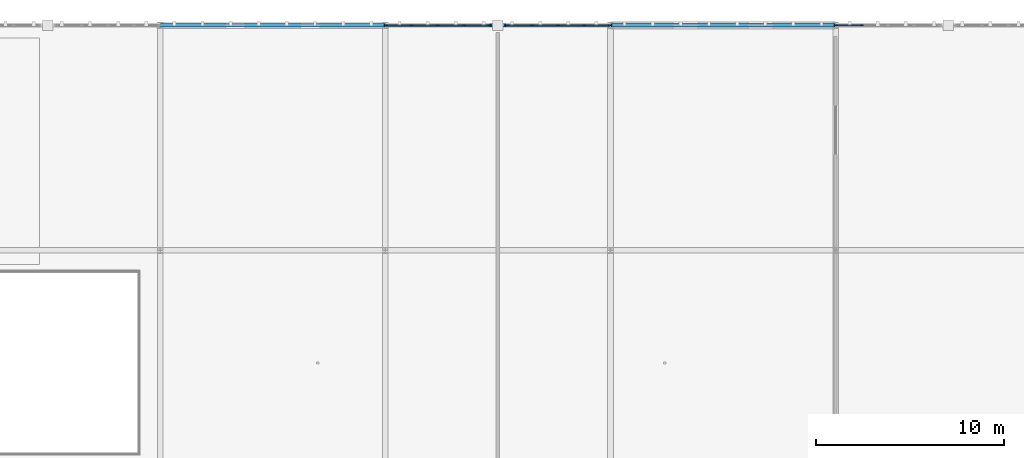
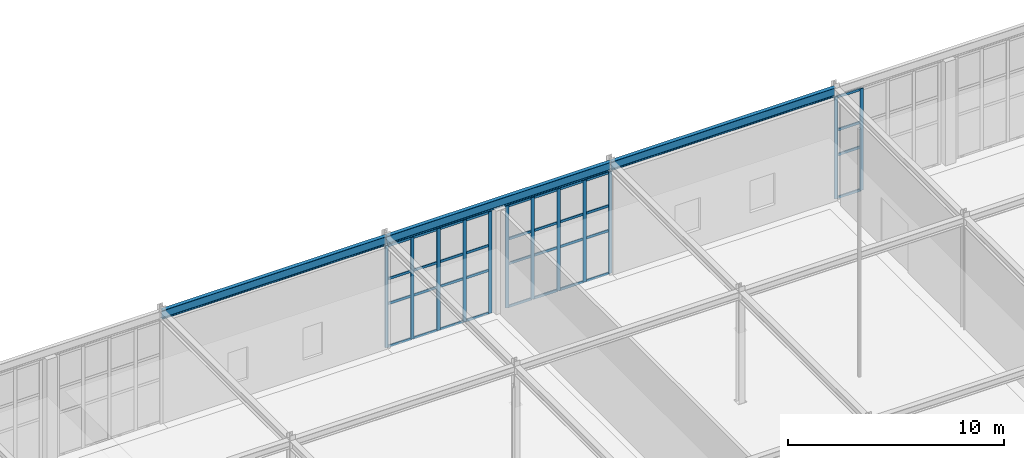
# One storey, part 24 of 62: 48 members, 3 beams, 3 elements without a shape of their own.
"""IFC4 building model written with IfcOpenShell, lengths in metres."""

from ifc_helpers import new_model, si_unit, direction, frame, origin, origin_2d, place, context, subcontext, project, spatial, rectangle, i_section, extrude, material, layer, layer_set, material_profile, profile_set, type_object, element, aggregate, save


model = new_model("IFC4")

# Units and contexts
model_context = context("Model", 3, precision=1e-05, world=origin(), true_north=direction((0.0, 1.0)))
body_context = subcontext(model_context, "Body", "Model", "MODEL_VIEW")
ifc_project = project(units=[si_unit("LENGTHUNIT", "METRE"), si_unit("AREAUNIT", "SQUARE_METRE"), si_unit("VOLUMEUNIT", "CUBIC_METRE"), si_unit("PLANEANGLEUNIT", "RADIAN"), si_unit("MASSUNIT", "GRAM", prefix="KILO")], contexts=[model_context])

# Site, building, storey
site_placement = place(None, origin())
site = spatial("IfcSite", under=ifc_project, at=site_placement, CompositionType="ELEMENT")
building_placement = place(site_placement, origin())
building = spatial("IfcBuilding", under=site, at=building_placement, Name="Zlatogorsky Bluff Art Gallery", CompositionType="ELEMENT")
storey_placement = place(building_placement, frame((0.0, 0.0, 16.800048828125)))
storey = spatial("IfcBuildingStorey", under=building, at=storey_placement, Name="L03", CompositionType="ELEMENT", Elevation=16.800048828125)

# Beams
ifc_material_1 = material(Name="Steel S355", Category="steel")
ifc_material_profile_1 = material_profile(ifc_material_1, i_section(OverallWidth=0.199951171875, OverallDepth=0.5, WebThickness=0.01025390625, FlangeThickness=0.01611328125, FilletRadius=0.02099609375, at=origin_2d()), Name="IPE 500")
ifc_profile_set_1 = profile_set([ifc_material_profile_1], Name="Steel S355")
beam_type = type_object("IfcBeamType", Name="Beam SP-01 IPE 500", PredefinedType="SPANDREL", material=ifc_profile_set_1)
for number, where, z_axis, x_axis, name in (
    (1, (60.014892578125, 120.0, 6.079833984375), (1.0, 0.0, 0.0), (0.0, 1.0, 0.0), "Primary girder SP-01 L03 F-G/12"),
    (2, (72.014892578125, 120.0, 6.079833984375), (1.0, 0.0, 0.0), (0.0, 1.0, 0.0), "Primary girder SP-01 L03 G-H/12"),
    (3, (84.014892578125, 120.0, 6.079833984375), (1.0, 0.0, 0.0), (0.0, 1.0, 0.0), "Primary girder SP-01 L03 H-J/12"),
):
    element("IfcBeam", number, at=place(storey_placement, frame(where, z_axis=z_axis, x_axis=x_axis)), inside=storey, type_object=beam_type, Name=name, PredefinedType="SPANDREL", context=body_context, shape_type="SweptSolid", body=[
        extrude(i_section(OverallWidth=0.199951171875, OverallDepth=0.5, WebThickness=0.01025390625, FlangeThickness=0.01611328125, FilletRadius=0.02099609375, at=origin_2d()), origin(), (0.0, 0.0, 1.0), 11.97021484375),
    ])

# Curtain wall, members
ifc_material_2 = material(Name="Anodised Bronze Aluminium and Low-Iron Triple Glazing", Category="aluminium")
ifc_layer = layer(ifc_material_2, 0.199951171875)
ifc_layer_set = layer_set([ifc_layer], Name="Curtain Wall CW-02")
curtain_wall_type = type_object("IfcCurtainWallType", Name="Curtain Wall CW-02", PredefinedType="USERDEFINED", material=ifc_layer_set)
curtain_wall_1_placement = place(storey_placement, origin())
curtain_wall_1 = element("IfcCurtainWall", 4, at=curtain_wall_1_placement, inside=storey, type_object=curtain_wall_type, Name="Unitised curtain wall CW-02 L03 N 6.10-A", ObjectType="CURTAIN WALL", PredefinedType="USERDEFINED")
ifc_material_3 = material(Name="Anodised Bronze Aluminium", Category="aluminium")
ifc_material_profile_2 = material_profile(ifc_material_3, rectangle(XDim=0.06494140625, YDim=0.179931640625, at=origin_2d()), Name="ALU MULLION 65x180")
ifc_profile_set_2 = profile_set([ifc_material_profile_2], Name="Anodised Bronze Aluminium")
member_type_1 = type_object("IfcMemberType", Name="Curtain Mullion ML-01", PredefinedType="MULLION", material=ifc_profile_set_2)
member_1_placement = place(storey_placement, frame((83.967529296875, 120.0, 0.0), z_axis=(0.0, 0.0, 1.0), x_axis=(0.0, -1.0, 0.0)))
member_1 = element("IfcMember", 5, at=member_1_placement, type_object=member_type_1, Name="CW-02 mullion 1", PredefinedType="MULLION", context=body_context, shape_type="SweptSolid", body=[
    extrude(rectangle(XDim=0.06494140625, YDim=0.179931640625, at=origin_2d()), origin(), (0.0, 0.0, 1.0), 5.75),
])
member_2_placement = place(storey_placement, frame((82.60498046875, 120.0, 0.0), z_axis=(0.0, 0.0, 1.0), x_axis=(0.0, -1.0, 0.0)))
member_2 = element("IfcMember", 6, at=member_2_placement, type_object=member_type_1, Name="CW-02 mullion 2", PredefinedType="MULLION", context=body_context, shape_type="SweptSolid", body=[
    extrude(rectangle(XDim=0.06494140625, YDim=0.179931640625, at=origin_2d()), origin(), (0.0, 0.0, 1.0), 5.75),
])
member_3_placement = place(storey_placement, frame((81.2099609375, 120.0, 0.0), z_axis=(0.0, 0.0, 1.0), x_axis=(0.0, -1.0, 0.0)))
member_3 = element("IfcMember", 7, at=member_3_placement, type_object=member_type_1, Name="CW-02 mullion 3", PredefinedType="MULLION", context=body_context, shape_type="SweptSolid", body=[
    extrude(rectangle(XDim=0.06494140625, YDim=0.179931640625, at=origin_2d()), origin(), (0.0, 0.0, 1.0), 5.75),
])
member_4_placement = place(storey_placement, frame((79.81494140625, 120.0, 0.0), z_axis=(0.0, 0.0, 1.0), x_axis=(0.0, -1.0, 0.0)))
member_4 = element("IfcMember", 8, at=member_4_placement, type_object=member_type_1, Name="CW-02 mullion 4", PredefinedType="MULLION", context=body_context, shape_type="SweptSolid", body=[
    extrude(rectangle(XDim=0.06494140625, YDim=0.179931640625, at=origin_2d()), origin(), (0.0, 0.0, 1.0), 5.75),
])
member_5_placement = place(storey_placement, frame((78.452392578125, 120.0, 0.0), z_axis=(0.0, 0.0, 1.0), x_axis=(0.0, -1.0, 0.0)))
member_5 = element("IfcMember", 9, at=member_5_placement, type_object=member_type_1, Name="CW-02 mullion 5", PredefinedType="MULLION", context=body_context, shape_type="SweptSolid", body=[
    extrude(rectangle(XDim=0.06494140625, YDim=0.179931640625, at=origin_2d()), origin(), (0.0, 0.0, 1.0), 5.75),
])

curtain_wall_2_placement = place(storey_placement, origin())
curtain_wall_2 = element("IfcCurtainWall", 10, at=curtain_wall_2_placement, inside=storey, type_object=curtain_wall_type, Name="Unitised curtain wall CW-02 L03 N 6.10-B", ObjectType="CURTAIN WALL", PredefinedType="USERDEFINED")
member_6_placement = place(storey_placement, frame((77.547607421875, 120.0, 0.0), z_axis=(0.0, 0.0, 1.0), x_axis=(0.0, -1.0, 0.0)))
member_6 = element("IfcMember", 11, at=member_6_placement, type_object=member_type_1, Name="CW-02 mullion 1", PredefinedType="MULLION", context=body_context, shape_type="SweptSolid", body=[
    extrude(rectangle(XDim=0.06494140625, YDim=0.179931640625, at=origin_2d()), origin(), (0.0, 0.0, 1.0), 5.75),
])
member_7_placement = place(storey_placement, frame((76.18505859375, 120.0, 0.0), z_axis=(0.0, 0.0, 1.0), x_axis=(0.0, -1.0, 0.0)))
member_7 = element("IfcMember", 12, at=member_7_placement, type_object=member_type_1, Name="CW-02 mullion 2", PredefinedType="MULLION", context=body_context, shape_type="SweptSolid", body=[
    extrude(rectangle(XDim=0.06494140625, YDim=0.179931640625, at=origin_2d()), origin(), (0.0, 0.0, 1.0), 5.75),
])
member_8_placement = place(storey_placement, frame((74.7900390625, 120.0, 0.0), z_axis=(0.0, 0.0, 1.0), x_axis=(0.0, -1.0, 0.0)))
member_8 = element("IfcMember", 13, at=member_8_placement, type_object=member_type_1, Name="CW-02 mullion 3", PredefinedType="MULLION", context=body_context, shape_type="SweptSolid", body=[
    extrude(rectangle(XDim=0.06494140625, YDim=0.179931640625, at=origin_2d()), origin(), (0.0, 0.0, 1.0), 5.75),
])
member_9_placement = place(storey_placement, frame((73.39501953125, 120.0, 0.0), z_axis=(0.0, 0.0, 1.0), x_axis=(0.0, -1.0, 0.0)))
member_9 = element("IfcMember", 14, at=member_9_placement, type_object=member_type_1, Name="CW-02 mullion 4", PredefinedType="MULLION", context=body_context, shape_type="SweptSolid", body=[
    extrude(rectangle(XDim=0.06494140625, YDim=0.179931640625, at=origin_2d()), origin(), (0.0, 0.0, 1.0), 5.75),
])
member_10_placement = place(storey_placement, frame((72.032470703125, 120.0, 0.0), z_axis=(0.0, 0.0, 1.0), x_axis=(0.0, -1.0, 0.0)))
member_10 = element("IfcMember", 15, at=member_10_placement, type_object=member_type_1, Name="CW-02 mullion 5", PredefinedType="MULLION", context=body_context, shape_type="SweptSolid", body=[
    extrude(rectangle(XDim=0.06494140625, YDim=0.179931640625, at=origin_2d()), origin(), (0.0, 0.0, 1.0), 5.75),
])

curtain_wall_3_placement = place(storey_placement, origin())
curtain_wall_3 = element("IfcCurtainWall", 16, at=curtain_wall_3_placement, inside=storey, type_object=curtain_wall_type, Name="Unitised curtain wall CW-02 L03 N 8.10-B", ObjectType="CURTAIN WALL", PredefinedType="USERDEFINED")
member_11_placement = place(storey_placement, frame((97.39501953125, 120.0, 0.0), z_axis=(0.0, 0.0, 1.0), x_axis=(0.0, -1.0, 0.0)))
member_11 = element("IfcMember", 17, at=member_11_placement, type_object=member_type_1, Name="CW-02 mullion 4", PredefinedType="MULLION", context=body_context, shape_type="SweptSolid", body=[
    extrude(rectangle(XDim=0.06494140625, YDim=0.179931640625, at=origin_2d()), origin(), (0.0, 0.0, 1.0), 5.75),
])
member_12_placement = place(storey_placement, frame((96.032470703125, 120.0, 0.0), z_axis=(0.0, 0.0, 1.0), x_axis=(0.0, -1.0, 0.0)))
member_12 = element("IfcMember", 18, at=member_12_placement, type_object=member_type_1, Name="CW-02 mullion 5", PredefinedType="MULLION", context=body_context, shape_type="SweptSolid", body=[
    extrude(rectangle(XDim=0.06494140625, YDim=0.179931640625, at=origin_2d()), origin(), (0.0, 0.0, 1.0), 5.75),
])

# Member
ifc_material_profile_3 = material_profile(ifc_material_3, rectangle(XDim=0.06494140625, YDim=0.139892578125, at=origin_2d()), Name="ALU TRANSOM 65x140")
ifc_profile_set_3 = profile_set([ifc_material_profile_3], Name="Anodised Bronze Aluminium")
member_type_2 = type_object("IfcMemberType", Name="Curtain Transom TR-01", PredefinedType="USERDEFINED", material=ifc_profile_set_3)
member_13_placement = place(storey_placement, frame((83.93505859375, 120.0, 0.032470703125), z_axis=(-1.0, 0.0, 0.0), x_axis=(0.0, -1.0, 0.0)))
member_13 = element("IfcMember", 19, at=member_13_placement, type_object=member_type_2, Name="CW-02 transom 1.1", ObjectType="TRANSOM", PredefinedType="USERDEFINED", context=body_context, shape_type="SweptSolid", body=[
    extrude(rectangle(XDim=0.06494140625, YDim=0.139892578125, at=origin_2d()), origin(), (0.0, 0.0, 1.0), 1.297607421875),
])

member_14_placement = place(storey_placement, frame((83.93505859375, 120.0, 2.449951171875), z_axis=(-1.0, 0.0, 0.0), x_axis=(0.0, -1.0, 0.0)))
member_14 = element("IfcMember", 20, at=member_14_placement, type_object=member_type_2, Name="CW-02 transom 1.2", ObjectType="TRANSOM", PredefinedType="USERDEFINED", context=body_context, shape_type="SweptSolid", body=[
    extrude(rectangle(XDim=0.06494140625, YDim=0.139892578125, at=origin_2d()), origin(), (0.0, 0.0, 1.0), 1.297607421875),
])

member_15_placement = place(storey_placement, frame((83.93505859375, 120.0, 3.849853515625), z_axis=(-1.0, 0.0, 0.0), x_axis=(0.0, -1.0, 0.0)))
member_15 = element("IfcMember", 21, at=member_15_placement, type_object=member_type_2, Name="CW-02 transom 1.3", ObjectType="TRANSOM", PredefinedType="USERDEFINED", context=body_context, shape_type="SweptSolid", body=[
    extrude(rectangle(XDim=0.06494140625, YDim=0.139892578125, at=origin_2d()), origin(), (0.0, 0.0, 1.0), 1.297607421875),
])

member_16_placement = place(storey_placement, frame((83.93505859375, 120.0, 5.717529296875), z_axis=(-1.0, 0.0, 0.0), x_axis=(0.0, -1.0, 0.0)))
member_16 = element("IfcMember", 22, at=member_16_placement, type_object=member_type_2, Name="CW-02 transom 1.4", ObjectType="TRANSOM", PredefinedType="USERDEFINED", context=body_context, shape_type="SweptSolid", body=[
    extrude(rectangle(XDim=0.06494140625, YDim=0.139892578125, at=origin_2d()), origin(), (0.0, 0.0, 1.0), 1.297607421875),
])

member_17_placement = place(storey_placement, frame((82.572509765625, 120.0, 0.032470703125), z_axis=(-1.0, 0.0, 0.0), x_axis=(0.0, -1.0, 0.0)))
member_17 = element("IfcMember", 23, at=member_17_placement, type_object=member_type_2, Name="CW-02 transom 2.1", ObjectType="TRANSOM", PredefinedType="USERDEFINED", context=body_context, shape_type="SweptSolid", body=[
    extrude(rectangle(XDim=0.06494140625, YDim=0.139892578125, at=origin_2d()), origin(), (0.0, 0.0, 1.0), 1.330078125),
])

member_18_placement = place(storey_placement, frame((82.572509765625, 120.0, 2.449951171875), z_axis=(-1.0, 0.0, 0.0), x_axis=(0.0, -1.0, 0.0)))
member_18 = element("IfcMember", 24, at=member_18_placement, type_object=member_type_2, Name="CW-02 transom 2.2", ObjectType="TRANSOM", PredefinedType="USERDEFINED", context=body_context, shape_type="SweptSolid", body=[
    extrude(rectangle(XDim=0.06494140625, YDim=0.139892578125, at=origin_2d()), origin(), (0.0, 0.0, 1.0), 1.330078125),
])

member_19_placement = place(storey_placement, frame((82.572509765625, 120.0, 3.849853515625), z_axis=(-1.0, 0.0, 0.0), x_axis=(0.0, -1.0, 0.0)))
member_19 = element("IfcMember", 25, at=member_19_placement, type_object=member_type_2, Name="CW-02 transom 2.3", ObjectType="TRANSOM", PredefinedType="USERDEFINED", context=body_context, shape_type="SweptSolid", body=[
    extrude(rectangle(XDim=0.06494140625, YDim=0.139892578125, at=origin_2d()), origin(), (0.0, 0.0, 1.0), 1.330078125),
])

member_20_placement = place(storey_placement, frame((82.572509765625, 120.0, 5.717529296875), z_axis=(-1.0, 0.0, 0.0), x_axis=(0.0, -1.0, 0.0)))
member_20 = element("IfcMember", 26, at=member_20_placement, type_object=member_type_2, Name="CW-02 transom 2.4", ObjectType="TRANSOM", PredefinedType="USERDEFINED", context=body_context, shape_type="SweptSolid", body=[
    extrude(rectangle(XDim=0.06494140625, YDim=0.139892578125, at=origin_2d()), origin(), (0.0, 0.0, 1.0), 1.330078125),
])

member_21_placement = place(storey_placement, frame((81.177490234375, 120.0, 0.032470703125), z_axis=(-1.0, 0.0, 0.0), x_axis=(0.0, -1.0, 0.0)))
member_21 = element("IfcMember", 27, at=member_21_placement, type_object=member_type_2, Name="CW-02 transom 3.1", ObjectType="TRANSOM", PredefinedType="USERDEFINED", context=body_context, shape_type="SweptSolid", body=[
    extrude(rectangle(XDim=0.06494140625, YDim=0.139892578125, at=origin_2d()), origin(), (0.0, 0.0, 1.0), 1.330078125),
])

member_22_placement = place(storey_placement, frame((81.177490234375, 120.0, 2.449951171875), z_axis=(-1.0, 0.0, 0.0), x_axis=(0.0, -1.0, 0.0)))
member_22 = element("IfcMember", 28, at=member_22_placement, type_object=member_type_2, Name="CW-02 transom 3.2", ObjectType="TRANSOM", PredefinedType="USERDEFINED", context=body_context, shape_type="SweptSolid", body=[
    extrude(rectangle(XDim=0.06494140625, YDim=0.139892578125, at=origin_2d()), origin(), (0.0, 0.0, 1.0), 1.330078125),
])

member_23_placement = place(storey_placement, frame((81.177490234375, 120.0, 3.849853515625), z_axis=(-1.0, 0.0, 0.0), x_axis=(0.0, -1.0, 0.0)))
member_23 = element("IfcMember", 29, at=member_23_placement, type_object=member_type_2, Name="CW-02 transom 3.3", ObjectType="TRANSOM", PredefinedType="USERDEFINED", context=body_context, shape_type="SweptSolid", body=[
    extrude(rectangle(XDim=0.06494140625, YDim=0.139892578125, at=origin_2d()), origin(), (0.0, 0.0, 1.0), 1.330078125),
])

member_24_placement = place(storey_placement, frame((81.177490234375, 120.0, 5.717529296875), z_axis=(-1.0, 0.0, 0.0), x_axis=(0.0, -1.0, 0.0)))
member_24 = element("IfcMember", 30, at=member_24_placement, type_object=member_type_2, Name="CW-02 transom 3.4", ObjectType="TRANSOM", PredefinedType="USERDEFINED", context=body_context, shape_type="SweptSolid", body=[
    extrude(rectangle(XDim=0.06494140625, YDim=0.139892578125, at=origin_2d()), origin(), (0.0, 0.0, 1.0), 1.330078125),
])

member_25_placement = place(storey_placement, frame((79.782470703125, 120.0, 0.032470703125), z_axis=(-1.0, 0.0, 0.0), x_axis=(0.0, -1.0, 0.0)))
member_25 = element("IfcMember", 31, at=member_25_placement, type_object=member_type_2, Name="CW-02 transom 4.1", ObjectType="TRANSOM", PredefinedType="USERDEFINED", context=body_context, shape_type="SweptSolid", body=[
    extrude(rectangle(XDim=0.06494140625, YDim=0.139892578125, at=origin_2d()), origin(), (0.0, 0.0, 1.0), 1.29736328125),
])

member_26_placement = place(storey_placement, frame((79.782470703125, 120.0, 2.449951171875), z_axis=(-1.0, 0.0, 0.0), x_axis=(0.0, -1.0, 0.0)))
member_26 = element("IfcMember", 32, at=member_26_placement, type_object=member_type_2, Name="CW-02 transom 4.2", ObjectType="TRANSOM", PredefinedType="USERDEFINED", context=body_context, shape_type="SweptSolid", body=[
    extrude(rectangle(XDim=0.06494140625, YDim=0.139892578125, at=origin_2d()), origin(), (0.0, 0.0, 1.0), 1.29736328125),
])

member_27_placement = place(storey_placement, frame((79.782470703125, 120.0, 3.849853515625), z_axis=(-1.0, 0.0, 0.0), x_axis=(0.0, -1.0, 0.0)))
member_27 = element("IfcMember", 33, at=member_27_placement, type_object=member_type_2, Name="CW-02 transom 4.3", ObjectType="TRANSOM", PredefinedType="USERDEFINED", context=body_context, shape_type="SweptSolid", body=[
    extrude(rectangle(XDim=0.06494140625, YDim=0.139892578125, at=origin_2d()), origin(), (0.0, 0.0, 1.0), 1.29736328125),
])

member_28_placement = place(storey_placement, frame((79.782470703125, 120.0, 5.717529296875), z_axis=(-1.0, 0.0, 0.0), x_axis=(0.0, -1.0, 0.0)))
member_28 = element("IfcMember", 34, at=member_28_placement, type_object=member_type_2, Name="CW-02 transom 4.4", ObjectType="TRANSOM", PredefinedType="USERDEFINED", context=body_context, shape_type="SweptSolid", body=[
    extrude(rectangle(XDim=0.06494140625, YDim=0.139892578125, at=origin_2d()), origin(), (0.0, 0.0, 1.0), 1.29736328125),
])

aggregate(curtain_wall_1, [member_1, member_2, member_3, member_4, member_5, member_13, member_14, member_15, member_16, member_17, member_18, member_19, member_20, member_21, member_22, member_23, member_24, member_25, member_26, member_27, member_28])

member_29_placement = place(storey_placement, frame((77.514892578125, 120.0, 0.032470703125), z_axis=(-1.0, 0.0, 0.0), x_axis=(0.0, -1.0, 0.0)))
member_29 = element("IfcMember", 35, at=member_29_placement, type_object=member_type_2, Name="CW-02 transom 1.1", ObjectType="TRANSOM", PredefinedType="USERDEFINED", context=body_context, shape_type="SweptSolid", body=[
    extrude(rectangle(XDim=0.06494140625, YDim=0.139892578125, at=origin_2d()), origin(), (0.0, 0.0, 1.0), 1.29736328125),
])

member_30_placement = place(storey_placement, frame((77.514892578125, 120.0, 2.449951171875), z_axis=(-1.0, 0.0, 0.0), x_axis=(0.0, -1.0, 0.0)))
member_30 = element("IfcMember", 36, at=member_30_placement, type_object=member_type_2, Name="CW-02 transom 1.2", ObjectType="TRANSOM", PredefinedType="USERDEFINED", context=body_context, shape_type="SweptSolid", body=[
    extrude(rectangle(XDim=0.06494140625, YDim=0.139892578125, at=origin_2d()), origin(), (0.0, 0.0, 1.0), 1.29736328125),
])

member_31_placement = place(storey_placement, frame((77.514892578125, 120.0, 3.849853515625), z_axis=(-1.0, 0.0, 0.0), x_axis=(0.0, -1.0, 0.0)))
member_31 = element("IfcMember", 37, at=member_31_placement, type_object=member_type_2, Name="CW-02 transom 1.3", ObjectType="TRANSOM", PredefinedType="USERDEFINED", context=body_context, shape_type="SweptSolid", body=[
    extrude(rectangle(XDim=0.06494140625, YDim=0.139892578125, at=origin_2d()), origin(), (0.0, 0.0, 1.0), 1.29736328125),
])

member_32_placement = place(storey_placement, frame((77.514892578125, 120.0, 5.717529296875), z_axis=(-1.0, 0.0, 0.0), x_axis=(0.0, -1.0, 0.0)))
member_32 = element("IfcMember", 38, at=member_32_placement, type_object=member_type_2, Name="CW-02 transom 1.4", ObjectType="TRANSOM", PredefinedType="USERDEFINED", context=body_context, shape_type="SweptSolid", body=[
    extrude(rectangle(XDim=0.06494140625, YDim=0.139892578125, at=origin_2d()), origin(), (0.0, 0.0, 1.0), 1.29736328125),
])

member_33_placement = place(storey_placement, frame((76.152587890625, 120.0, 0.032470703125), z_axis=(-1.0, 0.0, 0.0), x_axis=(0.0, -1.0, 0.0)))
member_33 = element("IfcMember", 39, at=member_33_placement, type_object=member_type_2, Name="CW-02 transom 2.1", ObjectType="TRANSOM", PredefinedType="USERDEFINED", context=body_context, shape_type="SweptSolid", body=[
    extrude(rectangle(XDim=0.06494140625, YDim=0.139892578125, at=origin_2d()), origin(), (0.0, 0.0, 1.0), 1.330078125),
])

member_34_placement = place(storey_placement, frame((76.152587890625, 120.0, 2.449951171875), z_axis=(-1.0, 0.0, 0.0), x_axis=(0.0, -1.0, 0.0)))
member_34 = element("IfcMember", 40, at=member_34_placement, type_object=member_type_2, Name="CW-02 transom 2.2", ObjectType="TRANSOM", PredefinedType="USERDEFINED", context=body_context, shape_type="SweptSolid", body=[
    extrude(rectangle(XDim=0.06494140625, YDim=0.139892578125, at=origin_2d()), origin(), (0.0, 0.0, 1.0), 1.330078125),
])

member_35_placement = place(storey_placement, frame((76.152587890625, 120.0, 3.849853515625), z_axis=(-1.0, 0.0, 0.0), x_axis=(0.0, -1.0, 0.0)))
member_35 = element("IfcMember", 41, at=member_35_placement, type_object=member_type_2, Name="CW-02 transom 2.3", ObjectType="TRANSOM", PredefinedType="USERDEFINED", context=body_context, shape_type="SweptSolid", body=[
    extrude(rectangle(XDim=0.06494140625, YDim=0.139892578125, at=origin_2d()), origin(), (0.0, 0.0, 1.0), 1.330078125),
])

member_36_placement = place(storey_placement, frame((76.152587890625, 120.0, 5.717529296875), z_axis=(-1.0, 0.0, 0.0), x_axis=(0.0, -1.0, 0.0)))
member_36 = element("IfcMember", 42, at=member_36_placement, type_object=member_type_2, Name="CW-02 transom 2.4", ObjectType="TRANSOM", PredefinedType="USERDEFINED", context=body_context, shape_type="SweptSolid", body=[
    extrude(rectangle(XDim=0.06494140625, YDim=0.139892578125, at=origin_2d()), origin(), (0.0, 0.0, 1.0), 1.330078125),
])

member_37_placement = place(storey_placement, frame((74.757568359375, 120.0, 0.032470703125), z_axis=(-1.0, 0.0, 0.0), x_axis=(0.0, -1.0, 0.0)))
member_37 = element("IfcMember", 43, at=member_37_placement, type_object=member_type_2, Name="CW-02 transom 3.1", ObjectType="TRANSOM", PredefinedType="USERDEFINED", context=body_context, shape_type="SweptSolid", body=[
    extrude(rectangle(XDim=0.06494140625, YDim=0.139892578125, at=origin_2d()), origin(), (0.0, 0.0, 1.0), 1.330078125),
])

member_38_placement = place(storey_placement, frame((74.757568359375, 120.0, 2.449951171875), z_axis=(-1.0, 0.0, 0.0), x_axis=(0.0, -1.0, 0.0)))
member_38 = element("IfcMember", 44, at=member_38_placement, type_object=member_type_2, Name="CW-02 transom 3.2", ObjectType="TRANSOM", PredefinedType="USERDEFINED", context=body_context, shape_type="SweptSolid", body=[
    extrude(rectangle(XDim=0.06494140625, YDim=0.139892578125, at=origin_2d()), origin(), (0.0, 0.0, 1.0), 1.330078125),
])

member_39_placement = place(storey_placement, frame((74.757568359375, 120.0, 3.849853515625), z_axis=(-1.0, 0.0, 0.0), x_axis=(0.0, -1.0, 0.0)))
member_39 = element("IfcMember", 45, at=member_39_placement, type_object=member_type_2, Name="CW-02 transom 3.3", ObjectType="TRANSOM", PredefinedType="USERDEFINED", context=body_context, shape_type="SweptSolid", body=[
    extrude(rectangle(XDim=0.06494140625, YDim=0.139892578125, at=origin_2d()), origin(), (0.0, 0.0, 1.0), 1.330078125),
])

member_40_placement = place(storey_placement, frame((74.757568359375, 120.0, 5.717529296875), z_axis=(-1.0, 0.0, 0.0), x_axis=(0.0, -1.0, 0.0)))
member_40 = element("IfcMember", 46, at=member_40_placement, type_object=member_type_2, Name="CW-02 transom 3.4", ObjectType="TRANSOM", PredefinedType="USERDEFINED", context=body_context, shape_type="SweptSolid", body=[
    extrude(rectangle(XDim=0.06494140625, YDim=0.139892578125, at=origin_2d()), origin(), (0.0, 0.0, 1.0), 1.330078125),
])

member_41_placement = place(storey_placement, frame((73.362548828125, 120.0, 0.032470703125), z_axis=(-1.0, 0.0, 0.0), x_axis=(0.0, -1.0, 0.0)))
member_41 = element("IfcMember", 47, at=member_41_placement, type_object=member_type_2, Name="CW-02 transom 4.1", ObjectType="TRANSOM", PredefinedType="USERDEFINED", context=body_context, shape_type="SweptSolid", body=[
    extrude(rectangle(XDim=0.06494140625, YDim=0.139892578125, at=origin_2d()), origin(), (0.0, 0.0, 1.0), 1.297607421875),
])

member_42_placement = place(storey_placement, frame((73.362548828125, 120.0, 2.449951171875), z_axis=(-1.0, 0.0, 0.0), x_axis=(0.0, -1.0, 0.0)))
member_42 = element("IfcMember", 48, at=member_42_placement, type_object=member_type_2, Name="CW-02 transom 4.2", ObjectType="TRANSOM", PredefinedType="USERDEFINED", context=body_context, shape_type="SweptSolid", body=[
    extrude(rectangle(XDim=0.06494140625, YDim=0.139892578125, at=origin_2d()), origin(), (0.0, 0.0, 1.0), 1.297607421875),
])

member_43_placement = place(storey_placement, frame((73.362548828125, 120.0, 3.849853515625), z_axis=(-1.0, 0.0, 0.0), x_axis=(0.0, -1.0, 0.0)))
member_43 = element("IfcMember", 49, at=member_43_placement, type_object=member_type_2, Name="CW-02 transom 4.3", ObjectType="TRANSOM", PredefinedType="USERDEFINED", context=body_context, shape_type="SweptSolid", body=[
    extrude(rectangle(XDim=0.06494140625, YDim=0.139892578125, at=origin_2d()), origin(), (0.0, 0.0, 1.0), 1.297607421875),
])

member_44_placement = place(storey_placement, frame((73.362548828125, 120.0, 5.717529296875), z_axis=(-1.0, 0.0, 0.0), x_axis=(0.0, -1.0, 0.0)))
member_44 = element("IfcMember", 50, at=member_44_placement, type_object=member_type_2, Name="CW-02 transom 4.4", ObjectType="TRANSOM", PredefinedType="USERDEFINED", context=body_context, shape_type="SweptSolid", body=[
    extrude(rectangle(XDim=0.06494140625, YDim=0.139892578125, at=origin_2d()), origin(), (0.0, 0.0, 1.0), 1.297607421875),
])

aggregate(curtain_wall_2, [member_6, member_7, member_8, member_9, member_10, member_29, member_30, member_31, member_32, member_33, member_34, member_35, member_36, member_37, member_38, member_39, member_40, member_41, member_42, member_43, member_44])

member_45_placement = place(storey_placement, frame((97.362548828125, 120.0, 0.032470703125), z_axis=(-1.0, 0.0, 0.0), x_axis=(0.0, -1.0, 0.0)))
member_45 = element("IfcMember", 51, at=member_45_placement, type_object=member_type_2, Name="CW-02 transom 4.1", ObjectType="TRANSOM", PredefinedType="USERDEFINED", context=body_context, shape_type="SweptSolid", body=[
    extrude(rectangle(XDim=0.06494140625, YDim=0.139892578125, at=origin_2d()), origin(), (0.0, 0.0, 1.0), 1.297607421875),
])

member_46_placement = place(storey_placement, frame((97.362548828125, 120.0, 2.449951171875), z_axis=(-1.0, 0.0, 0.0), x_axis=(0.0, -1.0, 0.0)))
member_46 = element("IfcMember", 52, at=member_46_placement, type_object=member_type_2, Name="CW-02 transom 4.2", ObjectType="TRANSOM", PredefinedType="USERDEFINED", context=body_context, shape_type="SweptSolid", body=[
    extrude(rectangle(XDim=0.06494140625, YDim=0.139892578125, at=origin_2d()), origin(), (0.0, 0.0, 1.0), 1.297607421875),
])

member_47_placement = place(storey_placement, frame((97.362548828125, 120.0, 3.849853515625), z_axis=(-1.0, 0.0, 0.0), x_axis=(0.0, -1.0, 0.0)))
member_47 = element("IfcMember", 53, at=member_47_placement, type_object=member_type_2, Name="CW-02 transom 4.3", ObjectType="TRANSOM", PredefinedType="USERDEFINED", context=body_context, shape_type="SweptSolid", body=[
    extrude(rectangle(XDim=0.06494140625, YDim=0.139892578125, at=origin_2d()), origin(), (0.0, 0.0, 1.0), 1.297607421875),
])

member_48_placement = place(storey_placement, frame((97.362548828125, 120.0, 5.717529296875), z_axis=(-1.0, 0.0, 0.0), x_axis=(0.0, -1.0, 0.0)))
member_48 = element("IfcMember", 54, at=member_48_placement, type_object=member_type_2, Name="CW-02 transom 4.4", ObjectType="TRANSOM", PredefinedType="USERDEFINED", context=body_context, shape_type="SweptSolid", body=[
    extrude(rectangle(XDim=0.06494140625, YDim=0.139892578125, at=origin_2d()), origin(), (0.0, 0.0, 1.0), 1.297607421875),
])

aggregate(curtain_wall_3, [member_11, member_12, member_45, member_46, member_47, member_48])

save(model, "model.ifc")
